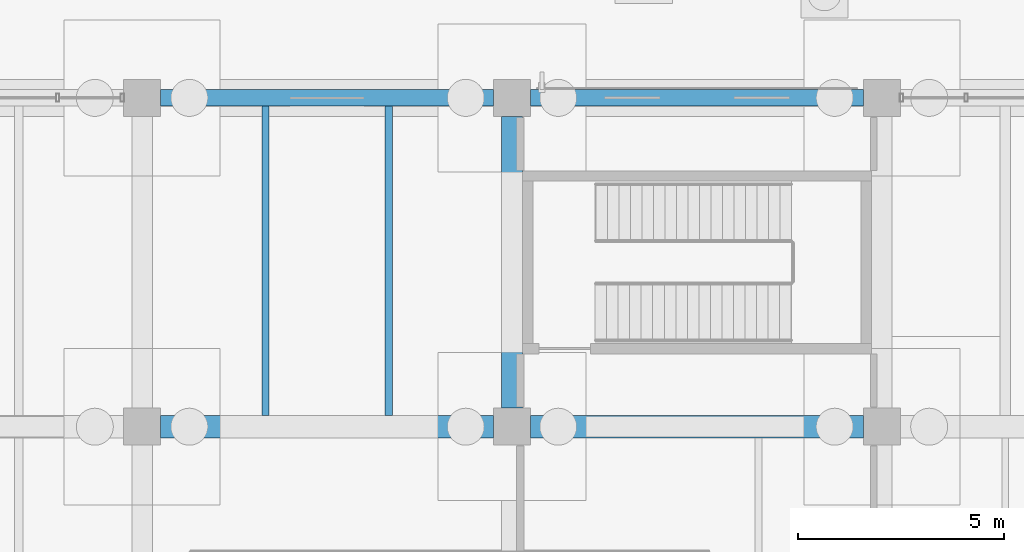
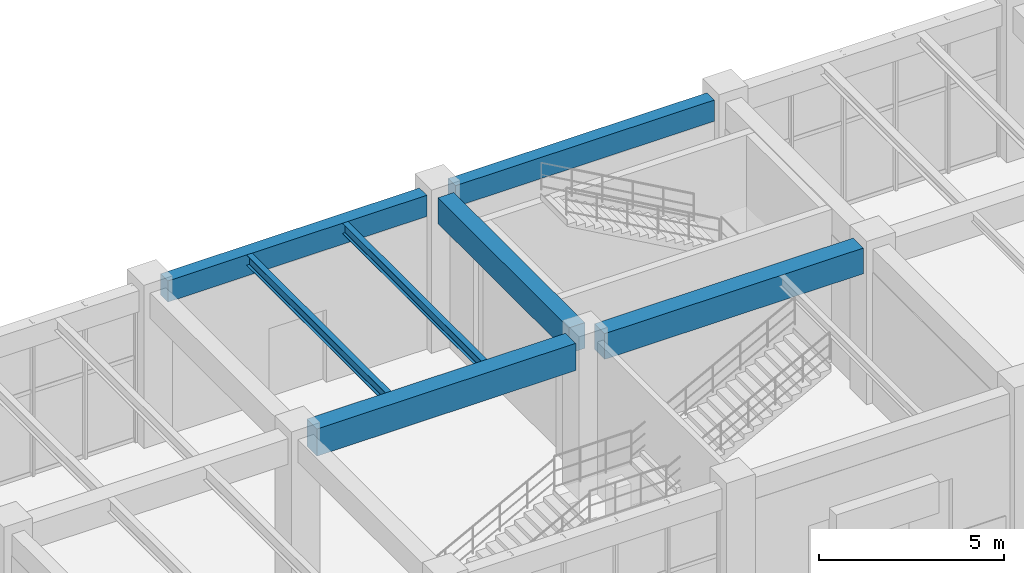
# One storey, part 53 of 121: 7 beams.
"""IFC4 building model written with IfcOpenShell, lengths in metres."""

from ifc_helpers import new_model, si_unit, derived_unit, direction, frame, origin, origin_2d, place, context, subcontext, project, spatial, rectangle, i_section, extrude, material, material_profile, profile_set, type_object, element, save


model = new_model("IFC4")

# Units and contexts
model_context = context("Model", 3, precision=1e-05, world=origin(), true_north=direction((0.0, 1.0)))
body_context = subcontext(model_context, "Body", "Model", "MODEL_VIEW")
ifc_project = project(units=[si_unit("LENGTHUNIT", "METRE"), si_unit("AREAUNIT", "SQUARE_METRE"), si_unit("VOLUMEUNIT", "CUBIC_METRE"), si_unit("PLANEANGLEUNIT", "RADIAN"), si_unit("MASSUNIT", "GRAM", prefix="KILO"), derived_unit("THERMALTRANSMITTANCEUNIT", [(si_unit("MASSUNIT", "GRAM", prefix="KILO"), 1), (si_unit("TIMEUNIT", "SECOND"), -3), (si_unit("THERMODYNAMICTEMPERATUREUNIT", "KELVIN"), -1)])], contexts=[model_context])

# Site, building, storey
site_placement = place(None, origin())
site = spatial("IfcSite", under=ifc_project, at=site_placement, CompositionType="ELEMENT")
building_placement = place(site_placement, origin())
building = spatial("IfcBuilding", under=site, at=building_placement, Name="Zhenchuan Archway Interchange", CompositionType="ELEMENT")
storey_placement = place(building_placement, origin())
storey = spatial("IfcBuildingStorey", under=building, at=storey_placement, Name="L00", CompositionType="ELEMENT", Elevation=0.0)

# Beams
ifc_material_1 = material(Name="Concrete C40", Category="concrete")
ifc_material_profile_1 = material_profile(ifc_material_1, rectangle(XDim=0.5, YDim=0.85009765625, at=origin_2d()), Name="RC 500x850")
ifc_profile_set_1 = profile_set([ifc_material_profile_1], Name="Concrete C40")
beam_type_1 = type_object("IfcBeamType", Name="BM_RC_500x850", PredefinedType="BEAM", material=ifc_profile_set_1)
beam_1_placement = place(storey_placement, frame((117.0, 96.449951171875, 4.655029296875), z_axis=(0.0, 1.0, 0.0), x_axis=(-1.0, 0.0, 0.0)))
element("IfcBeam", 1, at=beam_1_placement, inside=storey, type_object=beam_type_1, Name="Beam 14:N-O (L00)", PredefinedType="BEAM", context=body_context, shape_type="SweptSolid", body=[
    extrude(rectangle(XDim=0.5, YDim=0.85009765625, at=origin_2d()), origin(), (0.0, 0.0, 1.0), 7.10009765625),
])
ifc_material_profile_2 = material_profile(ifc_material_1, rectangle(XDim=0.550048828125, YDim=0.85009765625, at=origin_2d()), Name="RC 550x850")
ifc_profile_set_2 = profile_set([ifc_material_profile_2], Name="Concrete C40")
beam_type_2 = type_object("IfcBeamType", Name="BM_RC_550x850", PredefinedType="BEAM", material=ifc_profile_set_2)
beam_2_placement = place(storey_placement, frame((117.449951171875, 96.0, 4.655029296875), z_axis=(1.0, 0.0, 0.0), x_axis=(0.0, 1.0, 0.0)))
element("IfcBeam", 2, at=beam_2_placement, inside=storey, type_object=beam_type_2, Name="Beam N:14-15 (L00)", PredefinedType="BEAM", context=body_context, shape_type="SweptSolid", body=[
    extrude(rectangle(XDim=0.550048828125, YDim=0.85009765625, at=origin_2d()), origin(), (0.0, 0.0, 1.0), 8.10009765625),
])
ifc_material_profile_3 = material_profile(ifc_material_1, rectangle(XDim=0.550048828125, YDim=0.89990234375, at=origin_2d()), Name="RC 550x900")
ifc_profile_set_3 = profile_set([ifc_material_profile_3], Name="Concrete C40")
beam_type_3 = type_object("IfcBeamType", Name="BM_RC_550x900", PredefinedType="BEAM", material=ifc_profile_set_3)
beam_3_placement = place(storey_placement, frame((108.449951171875, 96.0, 4.6298828125), z_axis=(1.0, 0.0, 0.0), x_axis=(0.0, 1.0, 0.0)))
element("IfcBeam", 3, at=beam_3_placement, inside=storey, type_object=beam_type_3, Name="Beam N:13-14 (L00)", PredefinedType="BEAM", context=body_context, shape_type="SweptSolid", body=[
    extrude(rectangle(XDim=0.550048828125, YDim=0.89990234375, at=origin_2d()), origin(), (0.0, 0.0, 1.0), 8.10009765625),
])
ifc_material_2 = material(Name="Steel Q355", Category="steel")
ifc_material_profile_4 = material_profile(ifc_material_2, i_section(OverallWidth=0.175048828125, OverallDepth=0.35009765625, WebThickness=0.007080078125, FlangeThickness=0.010986328125, FilletRadius=0.013916015625, at=origin_2d()), Name="HN 350x175")
ifc_profile_set_4 = profile_set([ifc_material_profile_4], Name="Steel Q355")
beam_type_4 = type_object("IfcBeamType", Name="JST_STL_HN350", PredefinedType="JOIST", material=ifc_profile_set_4)
for number, where, z_axis, x_axis, name in (
    (4, (111.0, 96.27490234375, 4.905029296875), (0.0, 1.0, 0.0), (-1.0, 0.0, 0.0), "Secondary joist 13-14/N-O #1 (L00)"),
    (5, (114.0, 96.27490234375, 4.905029296875), (0.0, 1.0, 0.0), (-1.0, 0.0, 0.0), "Secondary joist 13-14/N-O #2 (L00)"),
):
    element("IfcBeam", number, at=place(storey_placement, frame(where, z_axis=z_axis, x_axis=x_axis)), inside=storey, type_object=beam_type_4, Name=name, PredefinedType="JOIST", context=body_context, shape_type="SweptSolid", body=[
        extrude(i_section(OverallWidth=0.175048828125, OverallDepth=0.35009765625, WebThickness=0.007080078125, FlangeThickness=0.010986328125, FilletRadius=0.013916015625, at=origin_2d()), origin(), (0.0, 0.0, 1.0), 7.525146484375),
    ])
ifc_material_profile_5 = material_profile(ifc_material_1, rectangle(XDim=0.39990234375, YDim=0.699951171875, at=origin_2d()), Name="RC 400x700")
ifc_profile_set_5 = profile_set([ifc_material_profile_5], Name="Concrete C40")
beam_type_5 = type_object("IfcBeamType", Name="SP_RC_400x700", PredefinedType="SPANDREL", material=ifc_profile_set_5)
for number, where, z_axis, x_axis, name in (
    (6, (108.449951171875, 104.0, 4.72998046875), (1.0, 0.0, 0.0), (0.0, 1.0, 0.0), "Beam O:13-14 (L00)"),
    (7, (117.449951171875, 104.0, 4.72998046875), (1.0, 0.0, 0.0), (0.0, 1.0, 0.0), "Beam O:14-15 (L00)"),
):
    element("IfcBeam", number, at=place(storey_placement, frame(where, z_axis=z_axis, x_axis=x_axis)), inside=storey, type_object=beam_type_5, Name=name, PredefinedType="SPANDREL", context=body_context, shape_type="SweptSolid", body=[
        extrude(rectangle(XDim=0.39990234375, YDim=0.699951171875, at=origin_2d()), origin(), (0.0, 0.0, 1.0), 8.10009765625),
    ])

save(model, "model.ifc")
